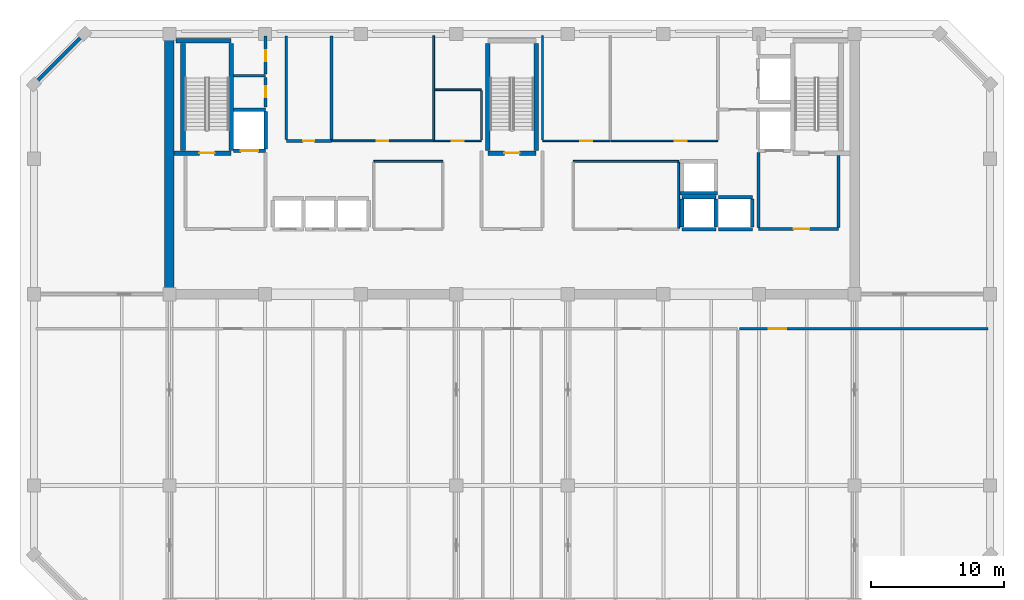
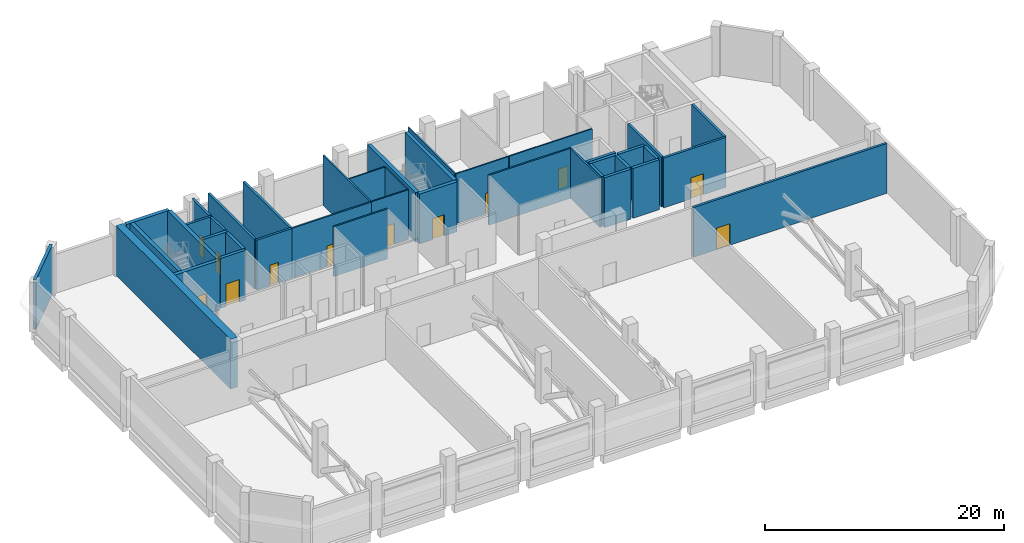
# One storey, part 7 of 11: 41 walls, 12 doors, 12 openings.
"""IFC4 building model written with IfcOpenShell, lengths in metres."""

from ifc_helpers import new_model, si_unit, direction, frame, frame_2d, origin, place, context, subcontext, project, spatial, rectangle, extrude, material, layer, layer_set, type_object, element, fill, save


model = new_model("IFC4")

# Units and contexts
model_context = context("Model", 3, precision=1e-05, world=origin(), true_north=direction((0.0, 1.0)))
body_context = subcontext(model_context, "Body", "Model", "MODEL_VIEW")
ifc_project = project(units=[si_unit("LENGTHUNIT", "METRE"), si_unit("AREAUNIT", "SQUARE_METRE"), si_unit("VOLUMEUNIT", "CUBIC_METRE"), si_unit("PLANEANGLEUNIT", "RADIAN"), si_unit("MASSUNIT", "GRAM", prefix="KILO")], contexts=[model_context])

# Site, building, storey
site_placement = place(None, origin())
site = spatial("IfcSite", under=ifc_project, at=site_placement, CompositionType="ELEMENT")
building_placement = place(site_placement, origin())
building = spatial("IfcBuilding", under=site, at=building_placement, Name="Kaelvorn Grand Hotel", CompositionType="ELEMENT")
storey_placement = place(building_placement, frame((0.0, 0.0, 280.5)))
storey = spatial("IfcBuildingStorey", under=building, at=storey_placement, Name="L69", CompositionType="ELEMENT", Elevation=280.5)

# Walls
ifc_material_1 = material(Name="Concrete C50/60", Category="concrete")
ifc_layer_1 = layer(ifc_material_1, 0.699951171875)
ifc_layer_set_1 = layer_set([ifc_layer_1], Name="Concrete C50/60")
wall_type_1 = type_object("IfcWallType", Name="WL-CORE-700-C50", PredefinedType="SHEAR", material=ifc_layer_set_1)
wall_1_placement = place(storey_placement, frame((16.199951171875, 29.39990234375, 0.0), z_axis=(0.0, 0.0, 1.0), x_axis=(0.0, 1.0, 0.0)))
element("IfcWall", 1, at=wall_1_placement, inside=storey, type_object=wall_type_1, Name="L69 Rear-Core West Shear Wall", PredefinedType="SHEAR", context=body_context, shape_type="SweptSolid", body=[
    extrude(rectangle(XDim=19.2001953125, YDim=0.699951171875, at=frame_2d((9.60009765625, 0.0))), origin(), (0.0, 0.0, 1.0), 5.10009765625),
])
ifc_material_2 = material(Name="Concrete C40/50", Category="concrete")
ifc_layer_2 = layer(ifc_material_2, 0.280029296875)
ifc_layer_set_2 = layer_set([ifc_layer_2], Name="Concrete C40/50")
wall_type_2 = type_object("IfcWallType", Name="WL-EXT-280-C40", PredefinedType="SOLIDWALL", material=ifc_layer_set_2)
wall_2_placement = place(storey_placement, frame((9.800048828125, 49.0, 0.0), z_axis=(0.0, 0.0, 1.0), x_axis=(-0.707106781187, -0.707106781187, 0.0)))
element("IfcWall", 2, at=wall_2_placement, inside=storey, type_object=wall_type_2, Name="L69 Exterior Architectural Concrete Wall 06", PredefinedType="SOLIDWALL", context=body_context, shape_type="SweptSolid", body=[
    extrude(rectangle(XDim=5.3740234375, YDim=0.280029296875, at=frame_2d((2.68701171875, 0.0))), origin(), (0.0, 0.0, 1.0), 5.10009765625),
])

# Wall, opening, door
ifc_material_3 = material(Name="Moisture-Resistant Tile & Stud Board")
ifc_layer_3 = layer(ifc_material_3, 0.125)
ifc_layer_set_3 = layer_set([ifc_layer_3], Name="Moisture-Resistant Tile & Stud Board")
wall_type_3 = type_object("IfcWallType", Name="WL-PART-125-WET", PredefinedType="PARTITIONING", material=ifc_layer_set_3)
wall_3_placement = place(storey_placement, frame((36.110107421875, 40.949951171875, 0.0), z_axis=(0.0, 0.0, 1.0), x_axis=(1.0, 0.0, 0.0)))
wall_3 = element("IfcWall", 3, at=wall_3_placement, inside=storey, type_object=wall_type_3, Name="L69 Accessible WC S Partition", PredefinedType="PARTITIONING", context=body_context, shape_type="SweptSolid", body=[
    extrude(rectangle(XDim=3.58984375, YDim=0.125, at=frame_2d((1.794921875, 0.0))), origin(), (0.0, 0.0, 1.0), 5.10009765625),
])
opening_1_placement = place(wall_3_placement, frame((1.340087890625, 0.0, 0.0)))
opening_1 = element("IfcOpeningElement", 4, at=opening_1_placement, cuts=wall_3, Name="Opening DI4", PredefinedType="OPENING", context=body_context, shape_type="SweptSolid", body=[
    extrude(rectangle(XDim=0.89990234375, YDim=2.10009765625, at=frame_2d((0.449951171875, 1.050048828125))), frame((0.0, 0.072509765625, 0.0), z_axis=(0.0, -1.0, 0.0), x_axis=(1.0, 0.0, 0.0)), (0.0, 0.0, 1.0), 0.14501953125),
])
ifc_material_4 = material(Name="Timber Veneer Leaf", Category="wood")
door_type_1 = type_object("IfcDoorType", Name="DR-INT-BATH-900x2100", OperationType="NOTDEFINED", PredefinedType="DOOR", material=ifc_material_4)
door_1_placement = place(opening_1_placement, origin())
door_1 = element("IfcDoor", 5, at=door_1_placement, inside=storey, type_object=door_type_1, Name="L69 Accessible WC Door", OperationType="SINGLE_SWING_LEFT", OverallHeight=2.10009765625, OverallWidth=0.89990234375, PredefinedType="DOOR", context=body_context, shape_type="SweptSolid", body=[
    extrude(rectangle(XDim=0.89990234375, YDim=2.10009765625, at=frame_2d((0.449951171875, 1.050048828125))), frame((0.0, 0.02490234375, 0.0), z_axis=(0.0, -1.0, 0.0), x_axis=(1.0, 0.0, 0.0)), (0.0, 0.0, 1.0), 0.050048828125),
])
fill(opening_1, door_1)

# Walls
wall_4_placement = place(storey_placement, frame((36.179931640625, 44.800048828125, 0.0), z_axis=(0.0, 0.0, 1.0), x_axis=(1.0, 0.0, 0.0)))
element("IfcWall", 6, at=wall_4_placement, inside=storey, type_object=wall_type_3, Name="L69 Accessible WC N Partition", PredefinedType="PARTITIONING", context=body_context, shape_type="SweptSolid", body=[
    extrude(rectangle(XDim=3.52001953125, YDim=0.125, at=frame_2d((1.760009765625, 0.0))), origin(), (0.0, 0.0, 1.0), 5.10009765625),
])
wall_5_placement = place(storey_placement, frame((39.699951171875, 41.017578125, 0.0), z_axis=(0.0, 0.0, 1.0), x_axis=(0.0, 1.0, 0.0)))
element("IfcWall", 7, at=wall_5_placement, inside=storey, type_object=wall_type_3, Name="L69 Accessible WC E Partition", PredefinedType="PARTITIONING", context=body_context, shape_type="SweptSolid", body=[
    extrude(rectangle(XDim=3.71484375, YDim=0.125, at=frame_2d((1.857421875, 0.0))), origin(), (0.0, 0.0, 1.0), 5.10009765625),
])

# Wall, opening, door
wall_6_placement = place(storey_placement, frame((44.300048828125, 40.949951171875, 0.0), z_axis=(0.0, 0.0, 1.0), x_axis=(1.0, 0.0, 0.0)))
wall_6 = element("IfcWall", 8, at=wall_6_placement, inside=storey, type_object=wall_type_3, Name="L69 Male Toilets S Partition", PredefinedType="PARTITIONING", context=body_context, shape_type="SweptSolid", body=[
    extrude(rectangle(XDim=5.099853515625, YDim=0.125, at=frame_2d((2.5498046875, 0.0))), origin(), (0.0, 0.0, 1.0), 5.10009765625),
])
opening_2_placement = place(wall_6_placement, frame((2.85009765625, 0.0, 0.0)))
opening_2 = element("IfcOpeningElement", 9, at=opening_2_placement, cuts=wall_6, Name="Opening DI4", PredefinedType="OPENING", context=body_context, shape_type="SweptSolid", body=[
    extrude(rectangle(XDim=0.89990234375, YDim=2.10009765625, at=frame_2d((0.449951171875, 1.050048828125))), frame((0.0, 0.072509765625, 0.0), z_axis=(0.0, -1.0, 0.0), x_axis=(1.0, 0.0, 0.0)), (0.0, 0.0, 1.0), 0.14501953125),
])
door_2_placement = place(opening_2_placement, origin())
door_2 = element("IfcDoor", 10, at=door_2_placement, inside=storey, type_object=door_type_1, Name="L69 Male Toilets Door", OperationType="SINGLE_SWING_RIGHT", OverallHeight=2.10009765625, OverallWidth=0.89990234375, PredefinedType="DOOR", context=body_context, shape_type="SweptSolid", body=[
    extrude(rectangle(XDim=0.89990234375, YDim=2.10009765625, at=frame_2d((0.449951171875, 1.050048828125))), frame((0.0, 0.02490234375, 0.0), z_axis=(0.0, -1.0, 0.0), x_axis=(1.0, 0.0, 0.0)), (0.0, 0.0, 1.0), 0.050048828125),
])
fill(opening_2, door_2)

# Wall
wall_7_placement = place(storey_placement, frame((44.300048828125, 41.017578125, 0.0), z_axis=(0.0, 0.0, 1.0), x_axis=(0.0, 1.0, 0.0)))
element("IfcWall", 11, at=wall_7_placement, inside=storey, type_object=wall_type_3, Name="L69 Male Toilets W Partition", PredefinedType="PARTITIONING", context=body_context, shape_type="SweptSolid", body=[
    extrude(rectangle(XDim=7.83251953125, YDim=0.125, at=frame_2d((3.916259765625, 0.0))), origin(), (0.0, 0.0, 1.0), 5.10009765625),
])

# Wall, opening, door
wall_8_placement = place(storey_placement, frame((49.467529296875, 40.949951171875, 0.0), z_axis=(0.0, 0.0, 1.0), x_axis=(1.0, 0.0, 0.0)))
wall_8 = element("IfcWall", 12, at=wall_8_placement, inside=storey, type_object=wall_type_3, Name="L69 Female Toilets S Partition", PredefinedType="PARTITIONING", context=body_context, shape_type="SweptSolid", body=[
    extrude(rectangle(XDim=8.032470703125, YDim=0.125, at=frame_2d((4.01611328125, 0.0))), origin(), (0.0, 0.0, 1.0), 5.10009765625),
])
opening_3_placement = place(wall_8_placement, frame((4.782470703125, 0.0, 0.0)))
opening_3 = element("IfcOpeningElement", 13, at=opening_3_placement, cuts=wall_8, Name="Opening DI4", PredefinedType="OPENING", context=body_context, shape_type="SweptSolid", body=[
    extrude(rectangle(XDim=0.89990234375, YDim=2.10009765625, at=frame_2d((0.449951171875, 1.050048828125))), frame((0.0, 0.072509765625, 0.0), z_axis=(0.0, -1.0, 0.0), x_axis=(1.0, 0.0, 0.0)), (0.0, 0.0, 1.0), 0.14501953125),
])
door_3_placement = place(opening_3_placement, origin())
door_3 = element("IfcDoor", 14, at=door_3_placement, inside=storey, type_object=door_type_1, Name="L69 Female Toilets Door", OperationType="SINGLE_SWING_LEFT", OverallHeight=2.10009765625, OverallWidth=0.89990234375, PredefinedType="DOOR", context=body_context, shape_type="SweptSolid", body=[
    extrude(rectangle(XDim=0.89990234375, YDim=2.10009765625, at=frame_2d((0.449951171875, 1.050048828125))), frame((0.0, 0.02490234375, 0.0), z_axis=(0.0, -1.0, 0.0), x_axis=(1.0, 0.0, 0.0)), (0.0, 0.0, 1.0), 0.050048828125),
])
fill(opening_3, door_3)

# Walls
ifc_material_5 = material(Name="Acoustic Gypsum & Stud Partition")
ifc_layer_4 = layer(ifc_material_5, 0.14990234375)
ifc_layer_set_4 = layer_set([ifc_layer_4], Name="Acoustic Gypsum & Stud Partition")
wall_type_4 = type_object("IfcWallType", Name="WL-PART-150-EI60", PredefinedType="PARTITIONING", material=ifc_layer_set_4)
wall_9_placement = place(storey_placement, frame((31.60009765625, 39.39990234375, 0.0), z_axis=(0.0, 0.0, 1.0), x_axis=(1.0, 0.0, 0.0)))
element("IfcWall", 15, at=wall_9_placement, inside=storey, type_object=wall_type_4, Name="L69 Core Telecoms & BMS Server Room N Partition", PredefinedType="PARTITIONING", context=body_context, shape_type="SweptSolid", body=[
    extrude(rectangle(XDim=5.199951171875, YDim=0.14990234375, at=frame_2d((2.60009765625, 0.0))), origin(), (0.0, 0.0, 1.0), 5.10009765625),
])
wall_10_placement = place(storey_placement, frame((46.60009765625, 39.39990234375, 0.0), z_axis=(0.0, 0.0, 1.0), x_axis=(1.0, 0.0, 0.0)))
element("IfcWall", 16, at=wall_10_placement, inside=storey, type_object=wall_type_4, Name="L69 Sky Concierge & Butler Pantry Lounge N Partition", PredefinedType="PARTITIONING", context=body_context, shape_type="SweptSolid", body=[
    extrude(rectangle(XDim=7.949951171875, YDim=0.14990234375, at=frame_2d((3.97509765625, 0.0))), origin(), (0.0, 0.0, 1.0), 5.10009765625),
])
wall_11_placement = place(storey_placement, frame((54.550048828125, 34.3798828125, 0.0), z_axis=(0.0, 0.0, 1.0), x_axis=(0.0, 1.0, 0.0)))
element("IfcWall", 17, at=wall_11_placement, inside=storey, type_object=wall_type_4, Name="L69 Sky Concierge & Butler Pantry Lounge E Partition", PredefinedType="PARTITIONING", context=body_context, shape_type="SweptSolid", body=[
    extrude(rectangle(XDim=4.940185546875, YDim=0.14990234375, at=frame_2d((2.47021484375, 0.0))), origin(), (0.0, 0.0, 1.0), 5.10009765625),
])

# Wall, opening, door
wall_12_placement = place(storey_placement, frame((28.409912109375, 40.949951171875, 0.0), z_axis=(0.0, 0.0, 1.0), x_axis=(1.0, 0.0, 0.0)))
wall_12 = element("IfcWall", 18, at=wall_12_placement, inside=storey, type_object=wall_type_4, Name="L69 Central BOH Supply Store S Partition", PredefinedType="PARTITIONING", context=body_context, shape_type="SweptSolid", body=[
    extrude(rectangle(XDim=7.690185546875, YDim=0.14990234375, at=frame_2d((3.84521484375, 0.0))), origin(), (0.0, 0.0, 1.0), 5.10009765625),
])
opening_4_placement = place(wall_12_placement, frame((3.4150390625, 0.0, 0.0)))
opening_4 = element("IfcOpeningElement", 19, at=opening_4_placement, cuts=wall_12, Name="Opening DI7", PredefinedType="OPENING", context=body_context, shape_type="SweptSolid", body=[
    extrude(rectangle(XDim=0.85009765625, YDim=2.10009765625, at=frame_2d((0.425048828125, 1.050048828125))), frame((0.0, 0.0849609375, 0.0), z_axis=(0.0, -1.0, 0.0), x_axis=(1.0, 0.0, 0.0)), (0.0, 0.0, 1.0), 0.169921875),
])
ifc_material_6 = material(Name="Powder-Coated Steel Leaf", Category="steel")
door_type_2 = type_object("IfcDoorType", Name="DR-INT-RISER-850x2100", OperationType="NOTDEFINED", PredefinedType="DOOR", material=ifc_material_6)
door_4_placement = place(opening_4_placement, origin())
door_4 = element("IfcDoor", 20, at=door_4_placement, inside=storey, type_object=door_type_2, Name="L69 Central BOH Supply Store Door", OperationType="SINGLE_SWING_RIGHT", OverallHeight=2.10009765625, OverallWidth=0.85009765625, PredefinedType="DOOR", context=body_context, shape_type="SweptSolid", body=[
    extrude(rectangle(XDim=0.85009765625, YDim=2.10009765625, at=frame_2d((0.425048828125, 1.050048828125))), frame((0.0, 0.02490234375, 0.0), z_axis=(0.0, -1.0, 0.0), x_axis=(1.0, 0.0, 0.0)), (0.0, 0.0, 1.0), 0.050048828125),
])
fill(opening_4, door_4)

# Wall
wall_13_placement = place(storey_placement, frame((36.10009765625, 41.030029296875, 0.0), z_axis=(0.0, 0.0, 1.0), x_axis=(0.0, 1.0, 0.0)))
element("IfcWall", 21, at=wall_13_placement, inside=storey, type_object=wall_type_4, Name="L69 Central BOH Supply Store E Partition", PredefinedType="PARTITIONING", context=body_context, shape_type="SweptSolid", body=[
    extrude(rectangle(XDim=7.820068359375, YDim=0.14990234375, at=frame_2d((3.91015625, 0.0))), origin(), (0.0, 0.0, 1.0), 5.10009765625),
])

# Wall, opening, door
ifc_layer_5 = layer(ifc_material_2, 0.219970703125)
ifc_layer_set_5 = layer_set([ifc_layer_5], Name="Concrete C40/50")
wall_type_5 = type_object("IfcWallType", Name="WL-PART-220-EI120", PredefinedType="PARTITIONING", material=ifc_layer_set_5)
wall_14_placement = place(storey_placement, frame((60.550048828125, 34.300048828125, 0.0), z_axis=(0.0, 0.0, 1.0), x_axis=(1.0, 0.0, 0.0)))
wall_14 = element("IfcWall", 22, at=wall_14_placement, inside=storey, type_object=wall_type_5, Name="L69 Firefighting Lift Lobby 2 S Partition", PredefinedType="PARTITIONING", context=body_context, shape_type="SweptSolid", body=[
    extrude(rectangle(XDim=6.050048828125, YDim=0.219970703125, at=frame_2d((3.02490234375, 0.0))), origin(), (0.0, 0.0, 1.0), 5.10009765625),
])
opening_5_placement = place(wall_14_placement, frame((2.64990234375, 0.0, 0.0)))
opening_5 = element("IfcOpeningElement", 23, at=opening_5_placement, cuts=wall_14, Name="Opening DI2", PredefinedType="OPENING", context=body_context, shape_type="SweptSolid", body=[
    extrude(rectangle(XDim=1.199951171875, YDim=2.14990234375, at=frame_2d((0.60009765625, 1.074951171875))), frame((0.0, 0.1201171875, 0.0), z_axis=(0.0, -1.0, 0.0), x_axis=(1.0, 0.0, 0.0)), (0.0, 0.0, 1.0), 0.239990234375),
])
ifc_material_7 = material(Name="Timber Veneer Fire Leaf", Category="wood")
door_type_3 = type_object("IfcDoorType", Name="DR-INT-FFLOB-1200x2150", OperationType="NOTDEFINED", PredefinedType="DOOR", material=ifc_material_7)
door_5_placement = place(opening_5_placement, origin())
door_5 = element("IfcDoor", 24, at=door_5_placement, inside=storey, type_object=door_type_3, Name="L69 Firefighting Lift Lobby 2 Door", OperationType="SINGLE_SWING_RIGHT", OverallHeight=2.14990234375, OverallWidth=1.199951171875, PredefinedType="DOOR", context=body_context, shape_type="SweptSolid", body=[
    extrude(rectangle(XDim=1.199951171875, YDim=2.14990234375, at=frame_2d((0.60009765625, 1.074951171875))), frame((0.0, 0.02490234375, 0.0), z_axis=(0.0, -1.0, 0.0), x_axis=(1.0, 0.0, 0.0)), (0.0, 0.0, 1.0), 0.050048828125),
])
fill(opening_5, door_5)

# Walls
wall_15_placement = place(storey_placement, frame((60.550048828125, 34.4150390625, 0.0), z_axis=(0.0, 0.0, 1.0), x_axis=(0.0, 1.0, 0.0)))
element("IfcWall", 25, at=wall_15_placement, inside=storey, type_object=wall_type_5, Name="L69 Firefighting Lift Lobby 2 W Partition", PredefinedType="PARTITIONING", context=body_context, shape_type="SweptSolid", body=[
    extrude(rectangle(XDim=5.639892578125, YDim=0.219970703125, at=frame_2d((2.81982421875, 0.0))), origin(), (0.0, 0.0, 1.0), 5.10009765625),
])
wall_16_placement = place(storey_placement, frame((66.60009765625, 34.4150390625, 0.0), z_axis=(0.0, 0.0, 1.0), x_axis=(0.0, 1.0, 0.0)))
element("IfcWall", 26, at=wall_16_placement, inside=storey, type_object=wall_type_5, Name="L69 Firefighting Lift Lobby 2 E Partition", PredefinedType="PARTITIONING", context=body_context, shape_type="SweptSolid", body=[
    extrude(rectangle(XDim=5.429931640625, YDim=0.219970703125, at=frame_2d((2.71484375, 0.0))), origin(), (0.0, 0.0, 1.0), 5.10009765625),
])
wall_17_placement = place(storey_placement, frame((21.034912109375, 45.85009765625, 0.0), z_axis=(0.0, 0.0, 1.0), x_axis=(1.0, 0.0, 0.0)))
element("IfcWall", 27, at=wall_17_placement, inside=storey, type_object=wall_type_5, Name="L69 Wet Fire & Plumbing Riser Shaft N Partition", PredefinedType="PARTITIONING", context=body_context, shape_type="SweptSolid", body=[
    extrude(rectangle(XDim=2.4150390625, YDim=0.219970703125, at=frame_2d((1.20751953125, 0.0))), origin(), (0.0, 0.0, 1.0), 5.10009765625),
])

# Wall, opening, door
wall_18_placement = place(storey_placement, frame((23.449951171875, 43.5, 0.0), z_axis=(0.0, 0.0, 1.0), x_axis=(0.0, 1.0, 0.0)))
wall_18 = element("IfcWall", 28, at=wall_18_placement, inside=storey, type_object=wall_type_5, Name="L69 Wet Fire & Plumbing Riser Shaft E Partition", PredefinedType="PARTITIONING", context=body_context, shape_type="SweptSolid", body=[
    extrude(rectangle(XDim=2.235107421875, YDim=0.219970703125, at=frame_2d((1.11767578125, 0.0))), origin(), (0.0, 0.0, 1.0), 5.10009765625),
])
opening_6_placement = place(wall_18_placement, frame((0.72509765625, 0.0, 0.0)))
opening_6 = element("IfcOpeningElement", 29, at=opening_6_placement, cuts=wall_18, Name="Opening DI7", PredefinedType="OPENING", context=body_context, shape_type="SweptSolid", body=[
    extrude(rectangle(XDim=0.85009765625, YDim=2.10009765625, at=frame_2d((0.425048828125, 1.050048828125))), frame((0.0, 0.1201171875, 0.0), z_axis=(0.0, -1.0, 0.0), x_axis=(1.0, 0.0, 0.0)), (0.0, 0.0, 1.0), 0.239990234375),
])
door_6_placement = place(opening_6_placement, origin())
door_6 = element("IfcDoor", 30, at=door_6_placement, inside=storey, type_object=door_type_2, Name="L69 Wet Fire & Plumbing Riser Shaft Door", OperationType="SINGLE_SWING_LEFT", OverallHeight=2.10009765625, OverallWidth=0.85009765625, PredefinedType="DOOR", context=body_context, shape_type="SweptSolid", body=[
    extrude(rectangle(XDim=0.85009765625, YDim=2.10009765625, at=frame_2d((0.425048828125, 1.050048828125))), frame((0.0, 0.02490234375, 0.0), z_axis=(0.0, -1.0, 0.0), x_axis=(1.0, 0.0, 0.0)), (0.0, 0.0, 1.0), 0.050048828125),
])
fill(opening_6, door_6)

wall_19_placement = place(storey_placement, frame((23.449951171875, 45.965087890625, 0.0), z_axis=(0.0, 0.0, 1.0), x_axis=(0.0, 1.0, 0.0)))
wall_19 = element("IfcWall", 31, at=wall_19_placement, inside=storey, type_object=wall_type_5, Name="L69 HV Electrical & Smoke Riser E Partition", PredefinedType="PARTITIONING", context=body_context, shape_type="SweptSolid", body=[
    extrude(rectangle(XDim=2.885009765625, YDim=0.219970703125, at=frame_2d((1.4423828125, 0.0))), origin(), (0.0, 0.0, 1.0), 5.10009765625),
])
opening_7_placement = place(wall_19_placement, frame((0.9599609375, 0.0, 0.0)))
opening_7 = element("IfcOpeningElement", 32, at=opening_7_placement, cuts=wall_19, Name="Opening DI7", PredefinedType="OPENING", context=body_context, shape_type="SweptSolid", body=[
    extrude(rectangle(XDim=0.85009765625, YDim=2.10009765625, at=frame_2d((0.425048828125, 1.050048828125))), frame((0.0, 0.1201171875, 0.0), z_axis=(0.0, -1.0, 0.0), x_axis=(1.0, 0.0, 0.0)), (0.0, 0.0, 1.0), 0.239990234375),
])
door_7_placement = place(opening_7_placement, origin())
door_7 = element("IfcDoor", 33, at=door_7_placement, inside=storey, type_object=door_type_2, Name="L69 HV Electrical & Smoke Riser Door", OperationType="SINGLE_SWING_RIGHT", OverallHeight=2.10009765625, OverallWidth=0.85009765625, PredefinedType="DOOR", context=body_context, shape_type="SweptSolid", body=[
    extrude(rectangle(XDim=0.85009765625, YDim=2.10009765625, at=frame_2d((0.425048828125, 1.050048828125))), frame((0.0, 0.02490234375, 0.0), z_axis=(0.0, -1.0, 0.0), x_axis=(1.0, 0.0, 0.0)), (0.0, 0.0, 1.0), 0.050048828125),
])
fill(opening_7, door_7)

wall_20_placement = place(storey_placement, frame((25.0, 40.949951171875, 0.0), z_axis=(0.0, 0.0, 1.0), x_axis=(1.0, 0.0, 0.0)))
wall_20 = element("IfcWall", 34, at=wall_20_placement, inside=storey, type_object=wall_type_5, Name="L69 Electrical Distribution Room S Partition", PredefinedType="PARTITIONING", context=body_context, shape_type="SweptSolid", body=[
    extrude(rectangle(XDim=3.39990234375, YDim=0.219970703125, at=frame_2d((1.699951171875, 0.0))), origin(), (0.0, 0.0, 1.0), 5.10009765625),
])
opening_8_placement = place(wall_20_placement, frame((1.27490234375, 0.0, 0.0)))
opening_8 = element("IfcOpeningElement", 35, at=opening_8_placement, cuts=wall_20, Name="Opening DI7", PredefinedType="OPENING", context=body_context, shape_type="SweptSolid", body=[
    extrude(rectangle(XDim=0.85009765625, YDim=2.10009765625, at=frame_2d((0.425048828125, 1.050048828125))), frame((0.0, 0.1201171875, 0.0), z_axis=(0.0, -1.0, 0.0), x_axis=(1.0, 0.0, 0.0)), (0.0, 0.0, 1.0), 0.239990234375),
])
door_8_placement = place(opening_8_placement, origin())
door_8 = element("IfcDoor", 36, at=door_8_placement, inside=storey, type_object=door_type_2, Name="L69 Electrical Distribution Room Door", OperationType="SINGLE_SWING_LEFT", OverallHeight=2.10009765625, OverallWidth=0.85009765625, PredefinedType="DOOR", context=body_context, shape_type="SweptSolid", body=[
    extrude(rectangle(XDim=0.85009765625, YDim=2.10009765625, at=frame_2d((0.425048828125, 1.050048828125))), frame((0.0, 0.02490234375, 0.0), z_axis=(0.0, -1.0, 0.0), x_axis=(1.0, 0.0, 0.0)), (0.0, 0.0, 1.0), 0.050048828125),
])
fill(opening_8, door_8)

# Walls
for number, where, z_axis, x_axis, name in (
    (37, (25.0, 41.06494140625, 0.0), (0.0, 0.0, 1.0), (0.0, 1.0, 0.0), "L69 Electrical Distribution Room W Partition"),
    (38, (28.39990234375, 41.06494140625, 0.0), (0.0, 0.0, 1.0), (0.0, 1.0, 0.0), "L69 Electrical Distribution Room E Partition"),
):
    element("IfcWall", number, at=place(storey_placement, frame(where, z_axis=z_axis, x_axis=x_axis)), inside=storey, type_object=wall_type_5, Name=name, PredefinedType="PARTITIONING", context=body_context, shape_type="SweptSolid", body=[
        extrude(rectangle(XDim=7.78515625, YDim=0.219970703125, at=frame_2d((3.892578125, 0.0))), origin(), (0.0, 0.0, 1.0), 5.10009765625),
    ])

# Wall, opening, door
wall_21_placement = place(storey_placement, frame((59.114990234375, 26.800048828125, 0.0), z_axis=(0.0, 0.0, 1.0), x_axis=(1.0, 0.0, 0.0)))
wall_21 = element("IfcWall", 39, at=wall_21_placement, inside=storey, type_object=wall_type_5, Name="L69 Domestic & Fire Break Water Tank & Pump Room N Partition", PredefinedType="PARTITIONING", context=body_context, shape_type="SweptSolid", body=[
    extrude(rectangle(XDim=18.735107421875, YDim=0.219970703125, at=frame_2d((9.36767578125, 0.0))), origin(), (0.0, 0.0, 1.0), 5.10009765625),
])
opening_9_placement = place(wall_21_placement, frame((2.235107421875, 0.0, 0.0)))
opening_9 = element("IfcOpeningElement", 40, at=opening_9_placement, cuts=wall_21, Name="Opening DI6", PredefinedType="OPENING", context=body_context, shape_type="SweptSolid", body=[
    extrude(rectangle(XDim=1.300048828125, YDim=2.199951171875, at=frame_2d((0.64990234375, 1.10009765625))), frame((0.0, 0.1201171875, 0.0), z_axis=(0.0, -1.0, 0.0), x_axis=(1.0, 0.0, 0.0)), (0.0, 0.0, 1.0), 0.239990234375),
])
door_type_4 = type_object("IfcDoorType", Name="DR-INT-PLANT-1300x2200", OperationType="DOUBLE_DOOR_SINGLE_SWING", PredefinedType="DOOR", material=ifc_material_6)
door_9_placement = place(opening_9_placement, origin())
door_9 = element("IfcDoor", 41, at=door_9_placement, inside=storey, type_object=door_type_4, Name="L69 Domestic & Fire Break Water Tank & Pump Room Door", OperationType="DOUBLE_DOOR_SINGLE_SWING", OverallHeight=2.199951171875, OverallWidth=1.300048828125, PredefinedType="DOOR", context=body_context, shape_type="SweptSolid", body=[
    extrude(rectangle(XDim=1.300048828125, YDim=2.199951171875, at=frame_2d((0.64990234375, 1.10009765625))), frame((0.0, 0.02490234375, 0.0), z_axis=(0.0, -1.0, 0.0), x_axis=(1.0, 0.0, 0.0)), (0.0, 0.0, 1.0), 0.050048828125),
])
fill(opening_9, door_9)

# Walls
ifc_layer_6 = layer(ifc_material_1, 0.280029296875)
ifc_layer_set_6 = layer_set([ifc_layer_6], Name="Concrete C50/60")
wall_type_6 = type_object("IfcWallType", Name="WL-SHAFT-280-C50", PredefinedType="SHEAR", material=ifc_layer_set_6)
for number, where, z_axis, x_axis, name in (
    (42, (54.800048828125, 34.300048828125, 0.0), (0.0, 0.0, 1.0), (1.0, 0.0, 0.0), "L69 Lift OL-1 Shaft South Wall"),
    (43, (54.800048828125, 36.699951171875, 0.0), (0.0, 0.0, 1.0), (1.0, 0.0, 0.0), "L69 Lift OL-1 Shaft North Wall"),
):
    element("IfcWall", number, at=place(storey_placement, frame(where, z_axis=z_axis, x_axis=x_axis)), inside=storey, type_object=wall_type_6, Name=name, PredefinedType="SHEAR", context=body_context, shape_type="SweptSolid", body=[
        extrude(rectangle(XDim=2.550048828125, YDim=0.280029296875, at=frame_2d((1.27490234375, 0.0))), origin(), (0.0, 0.0, 1.0), 5.10009765625),
    ])
for number, where, z_axis, x_axis, name in (
    (44, (54.800048828125, 34.445068359375, 0.0), (0.0, 0.0, 1.0), (0.0, 1.0, 0.0), "L69 Lift OL-1 Shaft West Wall"),
    (45, (57.35009765625, 34.445068359375, 0.0), (0.0, 0.0, 1.0), (0.0, 1.0, 0.0), "L69 Lift OL-1 Shaft East Wall"),
):
    element("IfcWall", number, at=place(storey_placement, frame(where, z_axis=z_axis, x_axis=x_axis)), inside=storey, type_object=wall_type_6, Name=name, PredefinedType="SHEAR", context=body_context, shape_type="SweptSolid", body=[
        extrude(rectangle(XDim=2.10986328125, YDim=0.280029296875, at=frame_2d((1.054931640625, 0.0))), origin(), (0.0, 0.0, 1.0), 5.10009765625),
    ])
for number, where, z_axis, x_axis, name in (
    (46, (57.550048828125, 34.300048828125, 0.0), (0.0, 0.0, 1.0), (1.0, 0.0, 0.0), "L69 Lift OL-2 Shaft South Wall"),
    (47, (57.550048828125, 36.699951171875, 0.0), (0.0, 0.0, 1.0), (1.0, 0.0, 0.0), "L69 Lift OL-2 Shaft North Wall"),
):
    element("IfcWall", number, at=place(storey_placement, frame(where, z_axis=z_axis, x_axis=x_axis)), inside=storey, type_object=wall_type_6, Name=name, PredefinedType="SHEAR", context=body_context, shape_type="SweptSolid", body=[
        extrude(rectangle(XDim=2.550048828125, YDim=0.280029296875, at=frame_2d((1.27490234375, 0.0))), origin(), (0.0, 0.0, 1.0), 5.10009765625),
    ])
wall_22_placement = place(storey_placement, frame((60.10009765625, 34.445068359375, 0.0), z_axis=(0.0, 0.0, 1.0), x_axis=(0.0, 1.0, 0.0)))
element("IfcWall", 48, at=wall_22_placement, inside=storey, type_object=wall_type_6, Name="L69 Lift OL-2 Shaft East Wall", PredefinedType="SHEAR", context=body_context, shape_type="SweptSolid", body=[
    extrude(rectangle(XDim=2.10986328125, YDim=0.280029296875, at=frame_2d((1.054931640625, 0.0))), origin(), (0.0, 0.0, 1.0), 5.10009765625),
])
wall_23_placement = place(storey_placement, frame((54.659912109375, 37.0, 0.0), z_axis=(0.0, 0.0, 1.0), x_axis=(1.0, 0.0, 0.0)))
element("IfcWall", 49, at=wall_23_placement, inside=storey, type_object=wall_type_6, Name="L69 Lift OL-3 Shaft South Wall", PredefinedType="SHEAR", context=body_context, shape_type="SweptSolid", body=[
    extrude(rectangle(XDim=2.830078125, YDim=0.280029296875, at=frame_2d((1.4150390625, 0.0))), origin(), (0.0, 0.0, 1.0), 5.10009765625),
])

# Wall, opening, door
wall_24_placement = place(storey_placement, frame((21.034912109375, 40.199951171875, 0.0), z_axis=(0.0, 0.0, 1.0), x_axis=(1.0, 0.0, 0.0)))
wall_24 = element("IfcWall", 50, at=wall_24_placement, inside=storey, type_object=wall_type_6, Name="L69 Lift FFL1 Shaft South Wall", PredefinedType="SHEAR", context=body_context, shape_type="SweptSolid", body=[
    extrude(rectangle(XDim=2.4150390625, YDim=0.280029296875, at=frame_2d((1.20751953125, 0.0))), origin(), (0.0, 0.0, 1.0), 5.10009765625),
])
opening_10_placement = place(wall_24_placement, frame((0.5400390625, 0.0, 0.0)))
opening_10 = element("IfcOpeningElement", 51, at=opening_10_placement, cuts=wall_24, Name="Opening LD-FFL1", PredefinedType="OPENING", context=body_context, shape_type="SweptSolid", body=[
    extrude(rectangle(XDim=1.300048828125, YDim=2.300048828125, at=frame_2d((0.64990234375, 1.14990234375))), frame((0.0, 0.14990234375, 0.0), z_axis=(0.0, -1.0, 0.0), x_axis=(1.0, 0.0, 0.0)), (0.0, 0.0, 1.0), 0.300048828125),
])
ifc_material_8 = material(Name="Stainless Steel", Category="steel")
door_type_5 = type_object("IfcDoorType", Name="DR-LIFT-SERV-1300x2300", OperationType="DOUBLE_DOOR_SLIDING", PredefinedType="DOOR", material=ifc_material_8)
door_10_placement = place(opening_10_placement, origin())
door_10 = element("IfcDoor", 52, at=door_10_placement, inside=storey, type_object=door_type_5, Name="L69 Lift FFL1 Sliding Landing Door LD-FFL1", OperationType="DOUBLE_DOOR_SLIDING", OverallHeight=2.300048828125, OverallWidth=1.300048828125, PredefinedType="DOOR", context=body_context, shape_type="SweptSolid", body=[
    extrude(rectangle(XDim=1.300048828125, YDim=2.300048828125, at=frame_2d((0.64990234375, 1.14990234375))), frame((0.0, 0.02490234375, 0.0), z_axis=(0.0, -1.0, 0.0), x_axis=(1.0, 0.0, 0.0)), (0.0, 0.0, 1.0), 0.050048828125),
])
fill(opening_10, door_10)

# Walls
wall_25_placement = place(storey_placement, frame((21.034912109375, 43.300048828125, 0.0), z_axis=(0.0, 0.0, 1.0), x_axis=(1.0, 0.0, 0.0)))
element("IfcWall", 53, at=wall_25_placement, inside=storey, type_object=wall_type_6, Name="L69 Lift FFL1 Shaft North Wall", PredefinedType="SHEAR", context=body_context, shape_type="SweptSolid", body=[
    extrude(rectangle(XDim=2.4150390625, YDim=0.280029296875, at=frame_2d((1.20751953125, 0.0))), origin(), (0.0, 0.0, 1.0), 5.10009765625),
])
wall_26_placement = place(storey_placement, frame((23.449951171875, 40.344970703125, 0.0), z_axis=(0.0, 0.0, 1.0), x_axis=(0.0, 1.0, 0.0)))
element("IfcWall", 54, at=wall_26_placement, inside=storey, type_object=wall_type_6, Name="L69 Lift FFL1 Shaft East Wall", PredefinedType="SHEAR", context=body_context, shape_type="SweptSolid", body=[
    extrude(rectangle(XDim=2.81005859375, YDim=0.280029296875, at=frame_2d((1.405029296875, 0.0))), origin(), (0.0, 0.0, 1.0), 5.10009765625),
])

# Wall, opening, door
ifc_material_9 = material(Name="Concrete C60/75", Category="concrete")
ifc_layer_7 = layer(ifc_material_9, 0.35009765625)
ifc_layer_set_7 = layer_set([ifc_layer_7], Name="Concrete C60/75")
wall_type_7 = type_object("IfcWallType", Name="WL-SHAFT-350-C60", PredefinedType="SHEAR", material=ifc_layer_set_7)
wall_27_placement = place(storey_placement, frame((16.554931640625, 40.02490234375, 0.0), z_axis=(0.0, 0.0, 1.0), x_axis=(1.0, 0.0, 0.0)))
wall_27 = element("IfcWall", 55, at=wall_27_placement, inside=storey, type_object=wall_type_7, Name="L69 ST1 Stair Shaft South Wall", PredefinedType="SHEAR", context=body_context, shape_type="SweptSolid", body=[
    extrude(rectangle(XDim=4.300048828125, YDim=0.35009765625, at=frame_2d((2.14990234375, 0.0))), origin(), (0.0, 0.0, 1.0), 5.10009765625),
])
opening_11_placement = place(wall_27_placement, frame((1.909912109375, 0.0, 0.0)))
opening_11 = element("IfcOpeningElement", 56, at=opening_11_placement, cuts=wall_27, Name="Opening DI1", PredefinedType="OPENING", context=body_context, shape_type="SweptSolid", body=[
    extrude(rectangle(XDim=1.14990234375, YDim=2.14990234375, at=frame_2d((0.574951171875, 1.074951171875))), frame((0.0, 0.18505859375, 0.0), z_axis=(0.0, -1.0, 0.0), x_axis=(1.0, 0.0, 0.0)), (0.0, 0.0, 1.0), 0.3701171875),
])
door_type_6 = type_object("IfcDoorType", Name="DR-INT-STAIR-1150x2150", OperationType="NOTDEFINED", PredefinedType="DOOR", material=ifc_material_7)
door_11_placement = place(opening_11_placement, origin())
door_11 = element("IfcDoor", 57, at=door_11_placement, inside=storey, type_object=door_type_6, Name="L69 ST1 Exit Stair Fire Door", OperationType="SINGLE_SWING_RIGHT", OverallHeight=2.14990234375, OverallWidth=1.14990234375, PredefinedType="DOOR", context=body_context, shape_type="SweptSolid", body=[
    extrude(rectangle(XDim=1.14990234375, YDim=2.14990234375, at=frame_2d((0.574951171875, 1.074951171875))), frame((0.0, 0.02490234375, 0.0), z_axis=(0.0, -1.0, 0.0), x_axis=(1.0, 0.0, 0.0)), (0.0, 0.0, 1.0), 0.050048828125),
])
fill(opening_11, door_11)

# Walls
wall_28_placement = place(storey_placement, frame((16.705078125, 48.47509765625, 0.0), z_axis=(0.0, 0.0, 1.0), x_axis=(1.0, 0.0, 0.0)))
element("IfcWall", 58, at=wall_28_placement, inside=storey, type_object=wall_type_7, Name="L69 ST1 Stair Shaft North Wall", PredefinedType="SHEAR", context=body_context, shape_type="SweptSolid", body=[
    extrude(rectangle(XDim=4.14990234375, YDim=0.35009765625, at=frame_2d((2.074951171875, 0.0))), origin(), (0.0, 0.0, 1.0), 5.10009765625),
])
for number, where, z_axis, x_axis, name in (
    (59, (17.22509765625, 40.205078125, 0.0), (0.0, 0.0, 1.0), (0.0, 1.0, 0.0), "L69 ST1 Stair Shaft West Wall"),
    (60, (20.85498046875, 40.205078125, 0.0), (0.0, 0.0, 1.0), (0.0, 1.0, 0.0), "L69 ST1 Stair Shaft East Wall"),
):
    element("IfcWall", number, at=place(storey_placement, frame(where, z_axis=z_axis, x_axis=x_axis)), inside=storey, type_object=wall_type_7, Name=name, PredefinedType="SHEAR", context=body_context, shape_type="SweptSolid", body=[
        extrude(rectangle(XDim=8.08984375, YDim=0.35009765625, at=frame_2d((4.044921875, 0.0))), origin(), (0.0, 0.0, 1.0), 5.10009765625),
    ])

# Wall, opening, door
wall_29_placement = place(storey_placement, frame((40.18505859375, 40.02490234375, 0.0), z_axis=(0.0, 0.0, 1.0), x_axis=(1.0, 0.0, 0.0)))
wall_29 = element("IfcWall", 61, at=wall_29_placement, inside=storey, type_object=wall_type_7, Name="L69 ST2 Stair Shaft South Wall", PredefinedType="SHEAR", context=body_context, shape_type="SweptSolid", body=[
    extrude(rectangle(XDim=3.6298828125, YDim=0.35009765625, at=frame_2d((1.81494140625, 0.0))), origin(), (0.0, 0.0, 1.0), 5.10009765625),
])
opening_12_placement = place(wall_29_placement, frame((1.239990234375, 0.0, 0.0)))
opening_12 = element("IfcOpeningElement", 62, at=opening_12_placement, cuts=wall_29, Name="Opening DI1", PredefinedType="OPENING", context=body_context, shape_type="SweptSolid", body=[
    extrude(rectangle(XDim=1.14990234375, YDim=2.14990234375, at=frame_2d((0.574951171875, 1.074951171875))), frame((0.0, 0.18505859375, 0.0), z_axis=(0.0, -1.0, 0.0), x_axis=(1.0, 0.0, 0.0)), (0.0, 0.0, 1.0), 0.3701171875),
])
door_12_placement = place(opening_12_placement, origin())
door_12 = element("IfcDoor", 63, at=door_12_placement, inside=storey, type_object=door_type_6, Name="L69 ST2 Exit Stair Fire Door", OperationType="SINGLE_SWING_LEFT", OverallHeight=2.14990234375, OverallWidth=1.14990234375, PredefinedType="DOOR", context=body_context, shape_type="SweptSolid", body=[
    extrude(rectangle(XDim=1.14990234375, YDim=2.14990234375, at=frame_2d((0.574951171875, 1.074951171875))), frame((0.0, 0.02490234375, 0.0), z_axis=(0.0, -1.0, 0.0), x_axis=(1.0, 0.0, 0.0)), (0.0, 0.0, 1.0), 0.050048828125),
])
fill(opening_12, door_12)

# Walls
for number, where, z_axis, x_axis, name in (
    (64, (40.18505859375, 40.205078125, 0.0), (0.0, 0.0, 1.0), (0.0, 1.0, 0.0), "L69 ST2 Stair Shaft West Wall"),
    (65, (43.81494140625, 40.205078125, 0.0), (0.0, 0.0, 1.0), (0.0, 1.0, 0.0), "L69 ST2 Stair Shaft East Wall"),
):
    element("IfcWall", number, at=place(storey_placement, frame(where, z_axis=z_axis, x_axis=x_axis)), inside=storey, type_object=wall_type_7, Name=name, PredefinedType="SHEAR", context=body_context, shape_type="SweptSolid", body=[
        extrude(rectangle(XDim=8.08984375, YDim=0.35009765625, at=frame_2d((4.044921875, 0.0))), origin(), (0.0, 0.0, 1.0), 5.10009765625),
    ])

save(model, "model.ifc")
